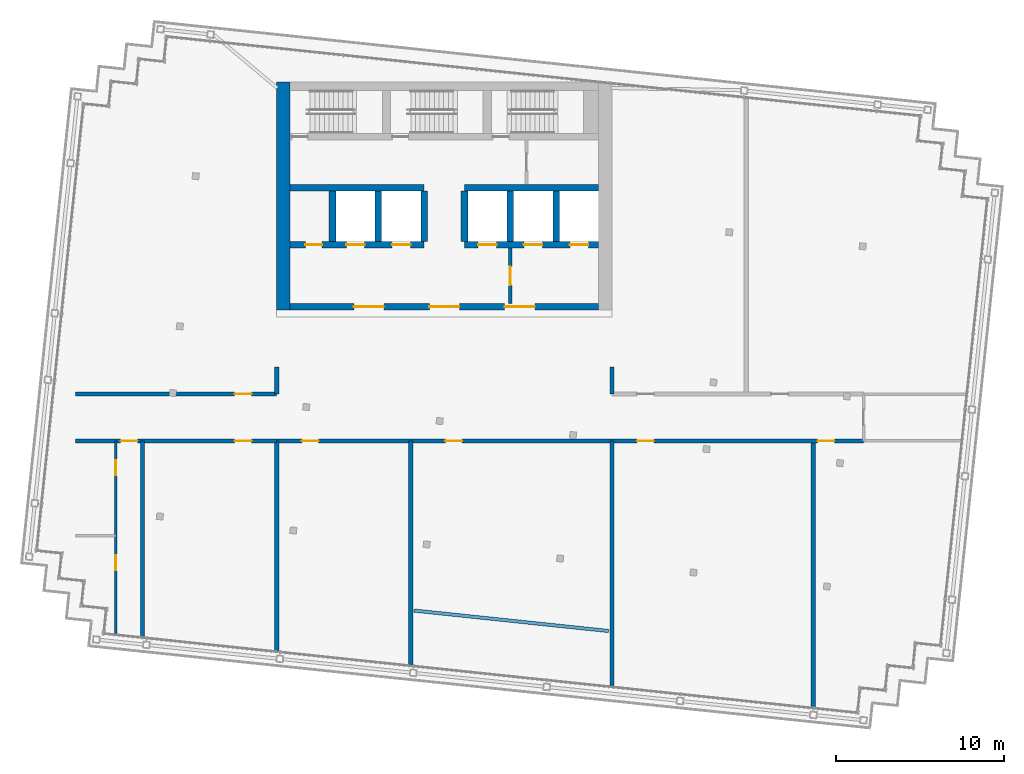
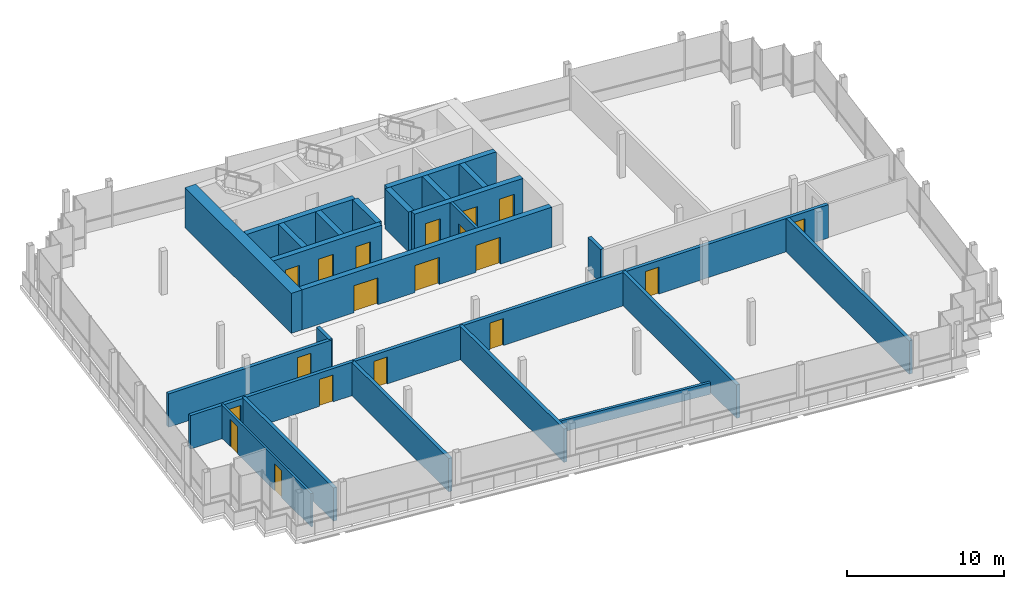
# One storey, part 11 of 15: 26 walls, 19 doors, 19 openings.
"""IFC4 building model written with IfcOpenShell, lengths in metres."""

import ifcopenshell
import ifcopenshell.guid

model = None  # the IFC model being written
_history = None  # IfcOwnerHistory: only IFC2X3 demands one
_inside = {}  # id of a spatial element -> (the spatial element, [elements in it])
_under = {}  # id of a project, library or spatial element -> (it, [spatial elements below it])
_declared = {}  # id of a project -> (the project, [libraries it declares])
_typed = {}  # id of a type object -> (the type object, [elements of that type])
_made_of = {}  # id of a material, layer set ... -> (it, [elements and type objects made of it])


def new_model(schema):
    """Start an empty IFC model of exactly this schema.

    Asked for "IFC4X3", IfcOpenShell would pick the latest addendum, in which some entities
    have other attributes; the version numbers below select the first issue.
    IFC2X3 requires an IfcOwnerHistory on every rooted entity: one is made here for all.
    """
    global model, _history
    if schema == "IFC4X3":
        model = ifcopenshell.file(schema_version=(4, 3, 0, 0))
    else:
        model = ifcopenshell.file(schema=schema)
    _inside.clear()
    _under.clear()
    _declared.clear()
    _typed.clear()
    _made_of.clear()
    _history = None
    if model.schema == "IFC2X3":
        org = make("IfcOrganization", Name="unknown")
        user = make(
            "IfcPersonAndOrganization",
            ThePerson=make("IfcPerson", FamilyName="unknown"),
            TheOrganization=org,
        )
        app = make(
            "IfcApplication",
            ApplicationDeveloper=org,
            Version="unknown",
            ApplicationFullName="unknown",
            ApplicationIdentifier="unknown",
        )
        _history = make(
            "IfcOwnerHistory",
            OwningUser=user,
            OwningApplication=app,
            ChangeAction="ADDED",
            CreationDate=0,
        )
    return model


def make(cls, **values):
    """One entity of the class cls with the attributes given. An attribute that is None is left unset."""
    return model.create_entity(
        cls, **{name: value for name, value in values.items() if value is not None}
    )


def rooted(cls, **values):
    """An entity with a GlobalId (a new one), such as an element, a storey or a relation."""
    return make(cls, GlobalId=ifcopenshell.guid.new(), OwnerHistory=_history, **values)


def si_unit(unit_type, name, prefix=None):
    """IfcSIUnit, for example si_unit("LENGTHUNIT", "METRE", prefix="MILLI")."""
    return make("IfcSIUnit", UnitType=unit_type, Prefix=prefix, Name=name)


def assignment(units):
    """IfcUnitAssignment: the units of a project."""
    return None if units is None else make("IfcUnitAssignment", Units=units)


def point(xyz):
    """IfcCartesianPoint."""
    return None if xyz is None else make("IfcCartesianPoint", Coordinates=xyz)


def direction(xyz):
    """IfcDirection."""
    return None if xyz is None else make("IfcDirection", DirectionRatios=xyz)


def frame(location, z_axis=None, x_axis=None):
    """IfcAxis2Placement3D, a coordinate frame: its origin and axes. An axis left out is left unset."""
    return make(
        "IfcAxis2Placement3D",
        Location=point(location),
        Axis=direction(z_axis),
        RefDirection=direction(x_axis),
    )


def frame_2d(location, x_axis=None):
    """IfcAxis2Placement2D, a coordinate frame in the plane: its origin and x axis."""
    return make(
        "IfcAxis2Placement2D", Location=point(location), RefDirection=direction(x_axis)
    )


def origin():
    """The frame at (0, 0, 0) with its axes left unset."""
    return frame((0.0, 0.0, 0.0))


def place(relative_to, where):
    """IfcLocalPlacement: puts the frame where relative to a parent placement (None: the world)."""
    return make(
        "IfcLocalPlacement", PlacementRelTo=relative_to, RelativePlacement=where
    )


def context(
    kind, dimensions, precision=None, world=None, true_north=None, identifier=None
):
    """IfcGeometricRepresentationContext, for example the 3D "Model" context."""
    return make(
        "IfcGeometricRepresentationContext",
        ContextIdentifier=identifier,
        ContextType=kind,
        CoordinateSpaceDimension=dimensions,
        Precision=precision,
        WorldCoordinateSystem=world,
        TrueNorth=true_north,
    )


def subcontext(parent, identifier, kind, view, scale=None):
    """IfcGeometricRepresentationSubContext, for example "Body" below "Model"."""
    return make(
        "IfcGeometricRepresentationSubContext",
        ContextIdentifier=identifier,
        ContextType=kind,
        ParentContext=parent,
        TargetScale=scale,
        TargetView=view,
    )


def project(units=None, contexts=None):
    """IfcProject with its units and contexts."""
    return rooted(
        "IfcProject",
        Name="project",
        RepresentationContexts=contexts,
        UnitsInContext=assignment(units),
    )


def spatial(cls, under=None, at=None, **own):
    """A site, building, storey or space (cls), placed at a placement, below another one or the project."""
    s = rooted(cls, ObjectPlacement=at, **own)
    if under is not None:
        _under.setdefault(under.id(), (under, []))[1].append(s)
    return s


def profile(cls, at=None, kind="AREA", **sizes):
    """A parametric profile (cls). Its sizes go by their IFC names, for example OverallWidth=200.0."""
    return make(cls, ProfileType=kind, Position=at, **sizes)


def rectangle(**sizes):
    """IfcRectangleProfileDef."""
    return profile("IfcRectangleProfileDef", **sizes)


def extrude(swept, where, along, depth):
    """IfcExtrudedAreaSolid: the profile swept, set in the frame where, extruded along a direction by depth."""
    return make(
        "IfcExtrudedAreaSolid",
        SweptArea=swept,
        Position=where,
        ExtrudedDirection=direction(along),
        Depth=depth,
    )


def shape(context_of_items, identifier, shape_type, items):
    """IfcShapeRepresentation: the items that make up one representation, for example the "Body"."""
    return make(
        "IfcShapeRepresentation",
        ContextOfItems=context_of_items,
        RepresentationIdentifier=identifier,
        RepresentationType=shape_type,
        Items=items,
    )


def material(Name=None, Category=None):
    """IfcMaterial."""
    return make("IfcMaterial", Name=Name, Category=Category)


def layer(
    of_material, thickness, ventilated=None, Name=None, Category=None, Priority=None
):
    """IfcMaterialLayer: one layer of a wall or slab, of a material (None: an air gap)."""
    return make(
        "IfcMaterialLayer",
        Material=of_material,
        LayerThickness=thickness,
        IsVentilated=ventilated,
        Name=Name,
        Category=Category,
        Priority=Priority,
    )


def layer_set(layers, Name=None):
    """IfcMaterialLayerSet."""
    return make("IfcMaterialLayerSet", MaterialLayers=layers, LayerSetName=Name)


def made_of(thing, what):
    """Note that an element or type object is made of a material, layer set ...; save() writes the relation."""
    if what is not None:
        _made_of.setdefault(what.id(), (what, []))[1].append(thing)
    return thing


def type_object(cls, material=None, **own):
    """A type object (cls), such as IfcWallType, which elements share."""
    return made_of(rooted(cls, **own), material)


def element(
    cls,
    number,
    at=None,
    inside=None,
    cuts=None,
    type_object=None,
    material=None,
    context=None,
    identifier="Body",
    shape_type=None,
    held_by="IfcProductDefinitionShape",
    body=None,
    shapes=None,
    **own,
):
    """One element of the class cls, such as IfcWall. Its Tag is "e" and its number.

    at: its placement. inside: the storey or other place that contains it. cuts: it is an
    opening in that element (IfcRelVoidsElement). A single representation is given by context,
    identifier, shape_type and body (its items); several are given by shapes. held_by: the class
    of the entity that holds the representations. save() writes the other relations.
    """
    e = rooted(cls, Tag="e%d" % number, ObjectPlacement=at, **own)
    if body is not None:
        shapes = [shape(context, identifier, shape_type, body)]
    if shapes is not None:
        e.Representation = make(held_by, Representations=shapes)
    if inside is not None:
        _inside.setdefault(inside.id(), (inside, []))[1].append(e)
    if cuts is not None:
        rooted(
            "IfcRelVoidsElement", RelatingBuildingElement=cuts, RelatedOpeningElement=e
        )
    if type_object is not None:
        _typed.setdefault(type_object.id(), (type_object, []))[1].append(e)
    return made_of(e, material)


def fill(opening, filler):
    """IfcRelFillsElement: the door or window that sits in an opening."""
    return rooted(
        "IfcRelFillsElement",
        RelatingOpeningElement=opening,
        RelatedBuildingElement=filler,
    )


def aggregate(whole, parts):
    """IfcRelAggregates: a whole, such as a stair, and the parts it consists of."""
    return rooted("IfcRelAggregates", RelatingObject=whole, RelatedObjects=parts)


def save(model, path):
    """Write the relations noted so far, then the file.

    IfcRelAggregates (storeys below a building ...), IfcRelContainedInSpatialStructure (elements
    in a storey), IfcRelDefinesByType, IfcRelAssociatesMaterial and IfcRelDeclares: one each for
    every whole, place, type object, material and project.
    """
    for whole, parts in _under.values():
        aggregate(whole, parts)
    for where, things in _inside.values():
        rooted(
            "IfcRelContainedInSpatialStructure",
            RelatedElements=things,
            RelatingStructure=where,
        )
    for kind, things in _typed.values():
        rooted("IfcRelDefinesByType", RelatedObjects=things, RelatingType=kind)
    for what, things in _made_of.values():
        rooted("IfcRelAssociatesMaterial", RelatedObjects=things, RelatingMaterial=what)
    for by, libraries in _declared.values():
        rooted("IfcRelDeclares", RelatingContext=by, RelatedDefinitions=libraries)
    model.write(path)


model = new_model("IFC4")

# Units and contexts
model_context = context("Model", 3, precision=1e-05, world=origin(), true_north=direction((0.0, 1.0)))
body_context = subcontext(model_context, "Body", "Model", "MODEL_VIEW")
ifc_project = project(units=[si_unit("LENGTHUNIT", "METRE"), si_unit("AREAUNIT", "SQUARE_METRE"), si_unit("VOLUMEUNIT", "CUBIC_METRE"), si_unit("PLANEANGLEUNIT", "RADIAN"), si_unit("MASSUNIT", "GRAM", prefix="KILO")], contexts=[model_context])

# Site, building, storey
site_placement = place(None, origin())
site = spatial("IfcSite", under=ifc_project, at=site_placement, CompositionType="ELEMENT")
building_placement = place(site_placement, origin())
building = spatial("IfcBuilding", under=site, at=building_placement, Name="Vidyagriha Tower", CompositionType="ELEMENT")
storey_placement = place(building_placement, frame((0.0, 0.0, 294.89990234375)))
storey = spatial("IfcBuildingStorey", under=building, at=storey_placement, Name="L76", CompositionType="ELEMENT", Elevation=294.89990234375)

# Wall
ifc_material_1 = material(Name="Fired clay brick masonry", Category="masonry")
ifc_layer_1 = layer(ifc_material_1, 0.199951171875)
ifc_layer_set_1 = layer_set([ifc_layer_1], Name="Fired clay brick masonry")
wall_type_1 = type_object("IfcWallType", Name="Brick planter wall 200", PredefinedType="PARTITIONING", material=ifc_layer_set_1)
wall_1_placement = place(storey_placement, frame((9.800048828125, -12.7333984375, 0.0), z_axis=(0.0, 0.0, 1.0), x_axis=(-0.994521727026, 0.104530064923, 0.0)))
element("IfcWall", 1, at=wall_1_placement, inside=storey, type_object=wall_type_1, Name="Wall all-L76-w031", PredefinedType="PARTITIONING", context=body_context, shape_type="SweptSolid", body=[
    extrude(rectangle(XDim=11.6640625, YDim=0.199951171875, at=frame_2d((5.83203125, 0.0))), origin(), (0.0, 0.0, 1.0), 0.900146484375),
])

# Wall, openings, doors
ifc_material_2 = material(Name="Concrete C60/75", Category="concrete")
ifc_layer_2 = layer(ifc_material_2, 0.39990234375)
ifc_layer_set_2 = layer_set([ifc_layer_2], Name="Concrete C60/75")
wall_type_2 = type_object("IfcWallType", Name="Core shear wall 400 mm", PredefinedType="SHEAR", material=ifc_layer_set_2)
wall_2_placement = place(storey_placement, frame((-9.199951171875, 6.60009765625, 0.0)))
wall_2 = element("IfcWall", 2, at=wall_2_placement, inside=storey, type_object=wall_type_2, Name="Core south wall", PredefinedType="SHEAR", context=body_context, shape_type="SweptSolid", body=[
    extrude(rectangle(XDim=18.39990234375, YDim=0.39990234375, at=frame_2d((9.199951171875, 0.0))), origin(), (0.0, 0.0, 1.0), 3.1201171875),
])
opening_1_placement = place(wall_2_placement, frame((8.300048828125, 0.0, 0.0)))
opening_1 = element("IfcOpeningElement", 3, at=opening_1_placement, cuts=wall_2, Name="Opening D76-01", PredefinedType="OPENING", context=body_context, shape_type="SweptSolid", body=[
    extrude(rectangle(XDim=1.800048828125, YDim=2.10009765625, at=frame_2d((0.89990234375, 1.050048828125))), frame((0.0, 0.2099609375, 0.0), z_axis=(0.0, -1.0, 0.0), x_axis=(1.0, 0.0, 0.0)), (0.0, 0.0, 1.0), 0.419921875),
])
opening_2_placement = place(wall_2_placement, frame((3.800048828125, 0.0, 0.0)))
opening_2 = element("IfcOpeningElement", 4, at=opening_2_placement, cuts=wall_2, Name="Opening D76-02", PredefinedType="OPENING", context=body_context, shape_type="SweptSolid", body=[
    extrude(rectangle(XDim=1.800048828125, YDim=2.10009765625, at=frame_2d((0.89990234375, 1.050048828125))), frame((0.0, 0.2099609375, 0.0), z_axis=(0.0, -1.0, 0.0), x_axis=(1.0, 0.0, 0.0)), (0.0, 0.0, 1.0), 0.419921875),
])
opening_3_placement = place(wall_2_placement, frame((12.800048828125, 0.0, 0.0)))
opening_3 = element("IfcOpeningElement", 5, at=opening_3_placement, cuts=wall_2, Name="Opening D76-03", PredefinedType="OPENING", context=body_context, shape_type="SweptSolid", body=[
    extrude(rectangle(XDim=1.800048828125, YDim=2.10009765625, at=frame_2d((0.89990234375, 1.050048828125))), frame((0.0, 0.2099609375, 0.0), z_axis=(0.0, -1.0, 0.0), x_axis=(1.0, 0.0, 0.0)), (0.0, 0.0, 1.0), 0.419921875),
])
ifc_material_3 = material(Name="Hollow metal door leaf")
door_type_1 = type_object("IfcDoorType", Name="Core lobby double door 1800 x 2100 mm EI 60", OperationType="NOTDEFINED", PredefinedType="DOOR", material=ifc_material_3)
door_1_placement = place(opening_1_placement, frame((1.800048828125, 0.0, 0.0), z_axis=(0.0, 0.0, 1.0), x_axis=(-1.0, 0.0, 0.0)))
door_1 = element("IfcDoor", 6, at=door_1_placement, inside=storey, type_object=door_type_1, Name="Core entrance door L76", OperationType="DOUBLE_DOOR_SINGLE_SWING", OverallHeight=2.10009765625, OverallWidth=1.800048828125, PredefinedType="DOOR", context=body_context, shape_type="SweptSolid", body=[
    extrude(rectangle(XDim=1.800048828125, YDim=2.10009765625, at=frame_2d((0.89990234375, 1.050048828125))), frame((0.0, 0.02490234375, 0.0), z_axis=(0.0, -1.0, 0.0), x_axis=(1.0, 0.0, 0.0)), (0.0, 0.0, 1.0), 0.050048828125),
])
fill(opening_1, door_1)
door_2_placement = place(opening_2_placement, frame((1.800048828125, 0.0, 0.0), z_axis=(0.0, 0.0, 1.0), x_axis=(-1.0, 0.0, 0.0)))
door_2 = element("IfcDoor", 7, at=door_2_placement, inside=storey, type_object=door_type_1, Name="Core entrance door west L76", OperationType="DOUBLE_DOOR_SINGLE_SWING", OverallHeight=2.10009765625, OverallWidth=1.800048828125, PredefinedType="DOOR", context=body_context, shape_type="SweptSolid", body=[
    extrude(rectangle(XDim=1.800048828125, YDim=2.10009765625, at=frame_2d((0.89990234375, 1.050048828125))), frame((0.0, 0.02490234375, 0.0), z_axis=(0.0, -1.0, 0.0), x_axis=(1.0, 0.0, 0.0)), (0.0, 0.0, 1.0), 0.050048828125),
])
fill(opening_2, door_2)
door_3_placement = place(opening_3_placement, frame((1.800048828125, 0.0, 0.0), z_axis=(0.0, 0.0, 1.0), x_axis=(-1.0, 0.0, 0.0)))
door_3 = element("IfcDoor", 8, at=door_3_placement, inside=storey, type_object=door_type_1, Name="Core entrance door east L76", OperationType="DOUBLE_DOOR_SINGLE_SWING", OverallHeight=2.10009765625, OverallWidth=1.800048828125, PredefinedType="DOOR", context=body_context, shape_type="SweptSolid", body=[
    extrude(rectangle(XDim=1.800048828125, YDim=2.10009765625, at=frame_2d((0.89990234375, 1.050048828125))), frame((0.0, 0.02490234375, 0.0), z_axis=(0.0, -1.0, 0.0), x_axis=(1.0, 0.0, 0.0)), (0.0, 0.0, 1.0), 0.050048828125),
])
fill(opening_3, door_3)

wall_3_placement = place(storey_placement, frame((-9.199951171875, 10.300048828125, 0.0)))
wall_3 = element("IfcWall", 9, at=wall_3_placement, inside=storey, type_object=wall_type_2, Name="Core row N front wall", PredefinedType="SHEAR", context=body_context, shape_type="SweptSolid", body=[
    extrude(rectangle(XDim=8.0, YDim=0.39990234375, at=frame_2d((4.0, 0.0))), origin(), (0.0, 0.0, 1.0), 3.1201171875),
])
opening_4_placement = place(wall_3_placement, frame((3.35009765625, 0.0, 0.0)))
opening_4 = element("IfcOpeningElement", 10, at=opening_4_placement, cuts=wall_3, Name="Opening LD76-01", PredefinedType="OPENING", context=body_context, shape_type="SweptSolid", body=[
    extrude(rectangle(XDim=1.10009765625, YDim=2.10009765625, at=frame_2d((0.550048828125, 1.050048828125))), frame((0.0, 0.2099609375, 0.0), z_axis=(0.0, -1.0, 0.0), x_axis=(1.0, 0.0, 0.0)), (0.0, 0.0, 1.0), 0.419921875),
])
opening_5_placement = place(wall_3_placement, frame((6.083251953125, 0.0, 0.0)))
opening_5 = element("IfcOpeningElement", 11, at=opening_5_placement, cuts=wall_3, Name="Opening LD76-02", PredefinedType="OPENING", context=body_context, shape_type="SweptSolid", body=[
    extrude(rectangle(XDim=1.10009765625, YDim=2.10009765625, at=frame_2d((0.550048828125, 1.050048828125))), frame((0.0, 0.2099609375, 0.0), z_axis=(0.0, -1.0, 0.0), x_axis=(1.0, 0.0, 0.0)), (0.0, 0.0, 1.0), 0.419921875),
])
opening_6_placement = place(wall_3_placement, frame((0.916748046875, 0.0, 0.0)))
opening_6 = element("IfcOpeningElement", 12, at=opening_6_placement, cuts=wall_3, Name="Opening D76-04", PredefinedType="OPENING", context=body_context, shape_type="SweptSolid", body=[
    extrude(rectangle(XDim=1.0, YDim=2.10009765625, at=frame_2d((0.5, 1.050048828125))), frame((0.0, 0.2099609375, 0.0), z_axis=(0.0, -1.0, 0.0), x_axis=(1.0, 0.0, 0.0)), (0.0, 0.0, 1.0), 0.419921875),
])
ifc_material_4 = material(Name="Hollow metal door leaf")
door_type_2 = type_object("IfcDoorType", Name="Core room door 1000 x 2100 mm EI 60", OperationType="NOTDEFINED", PredefinedType="DOOR", material=ifc_material_4)
door_4_placement = place(opening_6_placement, frame((1.0, 0.0, 0.0), z_axis=(0.0, 0.0, 1.0), x_axis=(-1.0, 0.0, 0.0)))
door_4 = element("IfcDoor", 13, at=door_4_placement, inside=storey, type_object=door_type_2, Name="Door Refuse Room 76.14", OperationType="SINGLE_SWING_RIGHT", OverallHeight=2.10009765625, OverallWidth=1.0, PredefinedType="DOOR", context=body_context, shape_type="SweptSolid", body=[
    extrude(rectangle(XDim=1.0, YDim=2.10009765625, at=frame_2d((0.5, 1.050048828125))), frame((0.0, 0.02490234375, 0.0), z_axis=(0.0, -1.0, 0.0), x_axis=(1.0, 0.0, 0.0)), (0.0, 0.0, 1.0), 0.050048828125),
])
fill(opening_6, door_4)
ifc_material_5 = material(Name="Stainless steel sliding door panel", Category="steel")
door_type_3 = type_object("IfcDoorType", Name="Lift landing door 1100 x 2100 mm EI 90", OperationType="NOTDEFINED", PredefinedType="DOOR", material=ifc_material_5)
door_5_placement = place(opening_4_placement, origin())
door_5 = element("IfcDoor", 14, at=door_5_placement, inside=storey, type_object=door_type_3, Name="Landing door HR1 L76", OperationType="SLIDING_TO_LEFT", OverallHeight=2.10009765625, OverallWidth=1.10009765625, PredefinedType="DOOR", context=body_context, shape_type="SweptSolid", body=[
    extrude(rectangle(XDim=1.10009765625, YDim=2.10009765625, at=frame_2d((0.550048828125, 1.050048828125))), frame((0.0, 0.02490234375, 0.0), z_axis=(0.0, -1.0, 0.0), x_axis=(1.0, 0.0, 0.0)), (0.0, 0.0, 1.0), 0.050048828125),
])
fill(opening_4, door_5)
door_6_placement = place(opening_5_placement, origin())
door_6 = element("IfcDoor", 15, at=door_6_placement, inside=storey, type_object=door_type_3, Name="Landing door HR2 L76", OperationType="SLIDING_TO_LEFT", OverallHeight=2.10009765625, OverallWidth=1.10009765625, PredefinedType="DOOR", context=body_context, shape_type="SweptSolid", body=[
    extrude(rectangle(XDim=1.10009765625, YDim=2.10009765625, at=frame_2d((0.550048828125, 1.050048828125))), frame((0.0, 0.02490234375, 0.0), z_axis=(0.0, -1.0, 0.0), x_axis=(1.0, 0.0, 0.0)), (0.0, 0.0, 1.0), 0.050048828125),
])
fill(opening_5, door_6)

# Wall
wall_4_placement = place(storey_placement, frame((-9.199951171875, 13.699951171875, 0.0)))
element("IfcWall", 16, at=wall_4_placement, inside=storey, type_object=wall_type_2, Name="Core row N rear wall", PredefinedType="SHEAR", context=body_context, shape_type="SweptSolid", body=[
    extrude(rectangle(XDim=8.0, YDim=0.39990234375, at=frame_2d((4.0, 0.0))), origin(), (0.0, 0.0, 1.0), 3.1201171875),
])

# Wall, openings, doors
wall_5_placement = place(storey_placement, frame((1.199951171875, 10.300048828125, 0.0)))
wall_5 = element("IfcWall", 17, at=wall_5_placement, inside=storey, type_object=wall_type_2, Name="Core row N front wall", PredefinedType="SHEAR", context=body_context, shape_type="SweptSolid", body=[
    extrude(rectangle(XDim=8.0, YDim=0.39990234375, at=frame_2d((4.0, 0.0))), origin(), (0.0, 0.0, 1.0), 3.1201171875),
])
opening_7_placement = place(wall_5_placement, frame((0.816650390625, 0.0, 0.0)))
opening_7 = element("IfcOpeningElement", 18, at=opening_7_placement, cuts=wall_5, Name="Opening LD76-03", PredefinedType="OPENING", context=body_context, shape_type="SweptSolid", body=[
    extrude(rectangle(XDim=1.10009765625, YDim=2.10009765625, at=frame_2d((0.550048828125, 1.050048828125))), frame((0.0, 0.2099609375, 0.0), z_axis=(0.0, -1.0, 0.0), x_axis=(1.0, 0.0, 0.0)), (0.0, 0.0, 1.0), 0.419921875),
])
opening_8_placement = place(wall_5_placement, frame((3.550048828125, 0.0, 0.0)))
opening_8 = element("IfcOpeningElement", 19, at=opening_8_placement, cuts=wall_5, Name="Opening LD76-04", PredefinedType="OPENING", context=body_context, shape_type="SweptSolid", body=[
    extrude(rectangle(XDim=1.10009765625, YDim=2.10009765625, at=frame_2d((0.550048828125, 1.050048828125))), frame((0.0, 0.2099609375, 0.0), z_axis=(0.0, -1.0, 0.0), x_axis=(1.0, 0.0, 0.0)), (0.0, 0.0, 1.0), 0.419921875),
])
opening_9_placement = place(wall_5_placement, frame((6.283203125, 0.0, 0.0)))
opening_9 = element("IfcOpeningElement", 20, at=opening_9_placement, cuts=wall_5, Name="Opening LD76-05", PredefinedType="OPENING", context=body_context, shape_type="SweptSolid", body=[
    extrude(rectangle(XDim=1.10009765625, YDim=2.10009765625, at=frame_2d((0.550048828125, 1.050048828125))), frame((0.0, 0.2099609375, 0.0), z_axis=(0.0, -1.0, 0.0), x_axis=(1.0, 0.0, 0.0)), (0.0, 0.0, 1.0), 0.419921875),
])
door_7_placement = place(opening_7_placement, origin())
door_7 = element("IfcDoor", 21, at=door_7_placement, inside=storey, type_object=door_type_3, Name="Landing door HR3 L76", OperationType="SLIDING_TO_LEFT", OverallHeight=2.10009765625, OverallWidth=1.10009765625, PredefinedType="DOOR", context=body_context, shape_type="SweptSolid", body=[
    extrude(rectangle(XDim=1.10009765625, YDim=2.10009765625, at=frame_2d((0.550048828125, 1.050048828125))), frame((0.0, 0.02490234375, 0.0), z_axis=(0.0, -1.0, 0.0), x_axis=(1.0, 0.0, 0.0)), (0.0, 0.0, 1.0), 0.050048828125),
])
fill(opening_7, door_7)
door_8_placement = place(opening_8_placement, origin())
door_8 = element("IfcDoor", 22, at=door_8_placement, inside=storey, type_object=door_type_3, Name="Landing door FF1 L76", OperationType="SLIDING_TO_LEFT", OverallHeight=2.10009765625, OverallWidth=1.10009765625, PredefinedType="DOOR", context=body_context, shape_type="SweptSolid", body=[
    extrude(rectangle(XDim=1.10009765625, YDim=2.10009765625, at=frame_2d((0.550048828125, 1.050048828125))), frame((0.0, 0.02490234375, 0.0), z_axis=(0.0, -1.0, 0.0), x_axis=(1.0, 0.0, 0.0)), (0.0, 0.0, 1.0), 0.050048828125),
])
fill(opening_8, door_8)
door_9_placement = place(opening_9_placement, origin())
door_9 = element("IfcDoor", 23, at=door_9_placement, inside=storey, type_object=door_type_3, Name="Landing door FF2 L76", OperationType="SLIDING_TO_LEFT", OverallHeight=2.10009765625, OverallWidth=1.10009765625, PredefinedType="DOOR", context=body_context, shape_type="SweptSolid", body=[
    extrude(rectangle(XDim=1.10009765625, YDim=2.10009765625, at=frame_2d((0.550048828125, 1.050048828125))), frame((0.0, 0.02490234375, 0.0), z_axis=(0.0, -1.0, 0.0), x_axis=(1.0, 0.0, 0.0)), (0.0, 0.0, 1.0), 0.050048828125),
])
fill(opening_9, door_9)

# Walls
wall_6_placement = place(storey_placement, frame((1.199951171875, 13.699951171875, 0.0)))
element("IfcWall", 24, at=wall_6_placement, inside=storey, type_object=wall_type_2, Name="Core row N rear wall", PredefinedType="SHEAR", context=body_context, shape_type="SweptSolid", body=[
    extrude(rectangle(XDim=8.0, YDim=0.39990234375, at=frame_2d((4.0, 0.0))), origin(), (0.0, 0.0, 1.0), 3.1201171875),
])
for number, where, z_axis, x_axis, name in (
    (25, (-6.666748046875, 10.5, 0.0), (0.0, 0.0, 1.0), (0.0, 1.0, 0.0), "Core bay wall N1"),
    (26, (-3.933349609375, 10.5, 0.0), (0.0, 0.0, 1.0), (0.0, 1.0, 0.0), "Core bay wall N2"),
    (27, (-1.199951171875, 10.5, 0.0), (0.0, 0.0, 1.0), (0.0, 1.0, 0.0), "Core bay wall N3"),
    (28, (1.199951171875, 10.5, 0.0), (0.0, 0.0, 1.0), (0.0, 1.0, 0.0), "Core bay wall N4"),
    (29, (3.933349609375, 10.5, 0.0), (0.0, 0.0, 1.0), (0.0, 1.0, 0.0), "Core bay wall N5"),
    (30, (6.666748046875, 10.5, 0.0), (0.0, 0.0, 1.0), (0.0, 1.0, 0.0), "Core bay wall N6"),
):
    element("IfcWall", number, at=place(storey_placement, frame(where, z_axis=z_axis, x_axis=x_axis)), inside=storey, type_object=wall_type_2, Name=name, PredefinedType="SHEAR", context=body_context, shape_type="SweptSolid", body=[
        extrude(rectangle(XDim=3.0, YDim=0.39990234375, at=frame_2d((1.5, 0.0))), origin(), (0.0, 0.0, 1.0), 3.1201171875),
    ])
ifc_material_6 = material(Name="Concrete C60/75", Category="concrete")
ifc_layer_3 = layer(ifc_material_6, 0.800048828125)
ifc_layer_set_3 = layer_set([ifc_layer_3], Name="Concrete C60/75")
wall_type_3 = type_object("IfcWallType", Name="Core shear wall 800 mm", PredefinedType="SHEAR", material=ifc_layer_set_3)
wall_7_placement = place(storey_placement, frame((-9.60009765625, 6.39990234375, 0.0), z_axis=(0.0, 0.0, 1.0), x_axis=(0.0, 1.0, 0.0)))
element("IfcWall", 31, at=wall_7_placement, inside=storey, type_object=wall_type_3, Name="Core west wall", PredefinedType="SHEAR", context=body_context, shape_type="SweptSolid", body=[
    extrude(rectangle(XDim=13.60009765625, YDim=0.800048828125, at=frame_2d((6.800048828125, 0.0))), origin(), (0.0, 0.0, 1.0), 3.1201171875),
])

# Wall, openings, doors
ifc_material_7 = material(Name="Fired clay brick masonry", Category="masonry")
ifc_layer_4 = layer(ifc_material_7, 0.25)
ifc_layer_set_4 = layer_set([ifc_layer_4], Name="Fired clay brick masonry")
wall_type_4 = type_object("IfcWallType", Name="Fired clay brick corridor wall 250", PredefinedType="PARTITIONING", material=ifc_layer_set_4)
wall_8_placement = place(storey_placement, frame((-10.0, -1.39990234375, 0.0), z_axis=(0.0, 0.0, 1.0), x_axis=(-1.0, 0.0, 0.0)))
wall_8 = element("IfcWall", 32, at=wall_8_placement, inside=storey, type_object=wall_type_4, Name="Wall all-L76-w001", PredefinedType="PARTITIONING", context=body_context, shape_type="SweptSolid", body=[
    extrude(rectangle(XDim=12.0, YDim=0.25, at=frame_2d((6.0, 0.0))), origin(), (0.0, 0.0, 1.0), 2.60009765625),
])
opening_10_placement = place(wall_8_placement, frame((1.5, 0.0, 0.0)))
opening_10 = element("IfcOpeningElement", 33, at=opening_10_placement, cuts=wall_8, Name="Opening D76-10", PredefinedType="OPENING", context=body_context, shape_type="SweptSolid", body=[
    extrude(rectangle(XDim=1.0, YDim=2.10009765625, at=frame_2d((0.5, 1.050048828125))), frame((0.0, 0.135009765625, 0.0), z_axis=(0.0, -1.0, 0.0), x_axis=(1.0, 0.0, 0.0)), (0.0, 0.0, 1.0), 0.27001953125),
])
opening_11_placement = place(wall_8_placement, frame((8.300048828125, 0.0, 0.0)))
opening_11 = element("IfcOpeningElement", 34, at=opening_11_placement, cuts=wall_8, Name="Opening D76-13", PredefinedType="OPENING", context=body_context, shape_type="SweptSolid", body=[
    extrude(rectangle(XDim=1.0, YDim=2.10009765625, at=frame_2d((0.5, 1.050048828125))), frame((0.0, 0.135009765625, 0.0), z_axis=(0.0, -1.0, 0.0), x_axis=(1.0, 0.0, 0.0)), (0.0, 0.0, 1.0), 0.27001953125),
])
ifc_material_8 = material(Name="Fire-rated timber door leaf EI 60", Category="wood")
door_type_4 = type_object("IfcDoorType", Name="Flat entrance fire door 1000x2100", OperationType="NOTDEFINED", PredefinedType="DOOR", material=ifc_material_8)
door_10_placement = place(opening_10_placement, origin())
door_10 = element("IfcDoor", 35, at=door_10_placement, inside=storey, type_object=door_type_4, Name="Door D76-10", OperationType="SINGLE_SWING_LEFT", OverallHeight=2.10009765625, OverallWidth=1.0, PredefinedType="DOOR", context=body_context, shape_type="SweptSolid", body=[
    extrude(rectangle(XDim=1.0, YDim=2.10009765625, at=frame_2d((0.5, 1.050048828125))), frame((0.0, 0.02490234375, 0.0), z_axis=(0.0, -1.0, 0.0), x_axis=(1.0, 0.0, 0.0)), (0.0, 0.0, 1.0), 0.050048828125),
])
fill(opening_10, door_10)
door_11_placement = place(opening_11_placement, origin())
door_11 = element("IfcDoor", 36, at=door_11_placement, inside=storey, type_object=door_type_4, Name="Door D76-13", OperationType="SINGLE_SWING_RIGHT", OverallHeight=2.10009765625, OverallWidth=1.0, PredefinedType="DOOR", context=body_context, shape_type="SweptSolid", body=[
    extrude(rectangle(XDim=1.0, YDim=2.10009765625, at=frame_2d((0.5, 1.050048828125))), frame((0.0, 0.02490234375, 0.0), z_axis=(0.0, -1.0, 0.0), x_axis=(1.0, 0.0, 0.0)), (0.0, 0.0, 1.0), 0.050048828125),
])
fill(opening_11, door_11)

# Wall, opening, door
wall_9_placement = place(storey_placement, frame((-22.0, 1.39990234375, 0.0)))
wall_9 = element("IfcWall", 37, at=wall_9_placement, inside=storey, type_object=wall_type_4, Name="Wall all-L76-w010", PredefinedType="PARTITIONING", context=body_context, shape_type="SweptSolid", body=[
    extrude(rectangle(XDim=12.0, YDim=0.25, at=frame_2d((6.0, 0.0))), origin(), (0.0, 0.0, 1.0), 2.60009765625),
])
opening_12_placement = place(wall_9_placement, frame((9.5, 0.0, 0.0)))
opening_12 = element("IfcOpeningElement", 38, at=opening_12_placement, cuts=wall_9, Name="Opening D76-14", PredefinedType="OPENING", context=body_context, shape_type="SweptSolid", body=[
    extrude(rectangle(XDim=1.0, YDim=2.10009765625, at=frame_2d((0.5, 1.050048828125))), frame((0.0, 0.135009765625, 0.0), z_axis=(0.0, -1.0, 0.0), x_axis=(1.0, 0.0, 0.0)), (0.0, 0.0, 1.0), 0.27001953125),
])
door_12_placement = place(opening_12_placement, origin())
door_12 = element("IfcDoor", 39, at=door_12_placement, inside=storey, type_object=door_type_4, Name="Door D76-14", OperationType="SINGLE_SWING_RIGHT", OverallHeight=2.10009765625, OverallWidth=1.0, PredefinedType="DOOR", context=body_context, shape_type="SweptSolid", body=[
    extrude(rectangle(XDim=1.0, YDim=2.10009765625, at=frame_2d((0.5, 1.050048828125))), frame((0.0, 0.02490234375, 0.0), z_axis=(0.0, -1.0, 0.0), x_axis=(1.0, 0.0, 0.0)), (0.0, 0.0, 1.0), 0.050048828125),
])
fill(opening_12, door_12)

# Wall, openings, doors
wall_10_placement = place(storey_placement, frame((25.0, -1.39990234375, 0.0), z_axis=(0.0, 0.0, 1.0), x_axis=(-1.0, 0.0, 0.0)))
wall_10 = element("IfcWall", 40, at=wall_10_placement, inside=storey, type_object=wall_type_4, Name="Wall all-L76-w012", PredefinedType="PARTITIONING", context=body_context, shape_type="SweptSolid", body=[
    extrude(rectangle(XDim=15.0, YDim=0.25, at=frame_2d((7.5, 0.0))), origin(), (0.0, 0.0, 1.0), 2.60009765625),
])
opening_13_placement = place(wall_10_placement, frame((12.5, 0.0, 0.0)))
opening_13 = element("IfcOpeningElement", 41, at=opening_13_placement, cuts=wall_10, Name="Opening D76-15", PredefinedType="OPENING", context=body_context, shape_type="SweptSolid", body=[
    extrude(rectangle(XDim=1.0, YDim=2.10009765625, at=frame_2d((0.5, 1.050048828125))), frame((0.0, 0.135009765625, 0.0), z_axis=(0.0, -1.0, 0.0), x_axis=(1.0, 0.0, 0.0)), (0.0, 0.0, 1.0), 0.27001953125),
])
opening_14_placement = place(wall_10_placement, frame((1.7431640625, 0.0, 0.0)))
opening_14 = element("IfcOpeningElement", 42, at=opening_14_placement, cuts=wall_10, Name="Opening D76-16", PredefinedType="OPENING", context=body_context, shape_type="SweptSolid", body=[
    extrude(rectangle(XDim=1.0, YDim=2.10009765625, at=frame_2d((0.5, 1.050048828125))), frame((0.0, 0.135009765625, 0.0), z_axis=(0.0, -1.0, 0.0), x_axis=(1.0, 0.0, 0.0)), (0.0, 0.0, 1.0), 0.27001953125),
])
door_13_placement = place(opening_13_placement, origin())
door_13 = element("IfcDoor", 43, at=door_13_placement, inside=storey, type_object=door_type_4, Name="Door D76-15", OperationType="SINGLE_SWING_RIGHT", OverallHeight=2.10009765625, OverallWidth=1.0, PredefinedType="DOOR", context=body_context, shape_type="SweptSolid", body=[
    extrude(rectangle(XDim=1.0, YDim=2.10009765625, at=frame_2d((0.5, 1.050048828125))), frame((0.0, 0.02490234375, 0.0), z_axis=(0.0, -1.0, 0.0), x_axis=(1.0, 0.0, 0.0)), (0.0, 0.0, 1.0), 0.050048828125),
])
fill(opening_13, door_13)
door_14_placement = place(opening_14_placement, origin())
door_14 = element("IfcDoor", 44, at=door_14_placement, inside=storey, type_object=door_type_4, Name="Door D76-16", OperationType="SINGLE_SWING_RIGHT", OverallHeight=2.10009765625, OverallWidth=1.0, PredefinedType="DOOR", context=body_context, shape_type="SweptSolid", body=[
    extrude(rectangle(XDim=1.0, YDim=2.10009765625, at=frame_2d((0.5, 1.050048828125))), frame((0.0, 0.02490234375, 0.0), z_axis=(0.0, -1.0, 0.0), x_axis=(1.0, 0.0, 0.0)), (0.0, 0.0, 1.0), 0.050048828125),
])
fill(opening_14, door_14)

wall_11_placement = place(storey_placement, frame((10.0, -1.39990234375, 0.0), z_axis=(0.0, 0.0, 1.0), x_axis=(-1.0, 0.0, 0.0)))
wall_11 = element("IfcWall", 45, at=wall_11_placement, inside=storey, type_object=wall_type_4, Name="Wall all-L76-w028", PredefinedType="PARTITIONING", context=body_context, shape_type="SweptSolid", body=[
    extrude(rectangle(XDim=20.0, YDim=0.25, at=frame_2d((10.0, 0.0))), origin(), (0.0, 0.0, 1.0), 2.60009765625),
])
opening_15_placement = place(wall_11_placement, frame((17.5, 0.0, 0.0)))
opening_15 = element("IfcOpeningElement", 46, at=opening_15_placement, cuts=wall_11, Name="Opening D76-20", PredefinedType="OPENING", context=body_context, shape_type="SweptSolid", body=[
    extrude(rectangle(XDim=1.0, YDim=2.10009765625, at=frame_2d((0.5, 1.050048828125))), frame((0.0, 0.135009765625, 0.0), z_axis=(0.0, -1.0, 0.0), x_axis=(1.0, 0.0, 0.0)), (0.0, 0.0, 1.0), 0.27001953125),
])
opening_16_placement = place(wall_11_placement, frame((8.943603515625, 0.0, 0.0)))
opening_16 = element("IfcOpeningElement", 47, at=opening_16_placement, cuts=wall_11, Name="Opening D76-21", PredefinedType="OPENING", context=body_context, shape_type="SweptSolid", body=[
    extrude(rectangle(XDim=1.0, YDim=2.10009765625, at=frame_2d((0.5, 1.050048828125))), frame((0.0, 0.135009765625, 0.0), z_axis=(0.0, -1.0, 0.0), x_axis=(1.0, 0.0, 0.0)), (0.0, 0.0, 1.0), 0.27001953125),
])
door_15_placement = place(opening_15_placement, origin())
door_15 = element("IfcDoor", 48, at=door_15_placement, inside=storey, type_object=door_type_4, Name="Door D76-20", OperationType="SINGLE_SWING_RIGHT", OverallHeight=2.10009765625, OverallWidth=1.0, PredefinedType="DOOR", context=body_context, shape_type="SweptSolid", body=[
    extrude(rectangle(XDim=1.0, YDim=2.10009765625, at=frame_2d((0.5, 1.050048828125))), frame((0.0, 0.02490234375, 0.0), z_axis=(0.0, -1.0, 0.0), x_axis=(1.0, 0.0, 0.0)), (0.0, 0.0, 1.0), 0.050048828125),
])
fill(opening_15, door_15)
door_16_placement = place(opening_16_placement, origin())
door_16 = element("IfcDoor", 49, at=door_16_placement, inside=storey, type_object=door_type_4, Name="Door D76-21", OperationType="SINGLE_SWING_RIGHT", OverallHeight=2.10009765625, OverallWidth=1.0, PredefinedType="DOOR", context=body_context, shape_type="SweptSolid", body=[
    extrude(rectangle(XDim=1.0, YDim=2.10009765625, at=frame_2d((0.5, 1.050048828125))), frame((0.0, 0.02490234375, 0.0), z_axis=(0.0, -1.0, 0.0), x_axis=(1.0, 0.0, 0.0)), (0.0, 0.0, 1.0), 0.050048828125),
])
fill(opening_16, door_16)

# Walls
for number, where, z_axis, x_axis, name in (
    (50, (-10.0, 3.0, 0.0), (0.0, 0.0, 1.0), (0.0, -1.0, 0.0), "Wall all-L76-w029"),
    (51, (10.0, 1.39990234375, 0.0), (0.0, 0.0, 1.0), (0.0, 1.0, 0.0), "Wall all-L76-w030"),
):
    element("IfcWall", number, at=place(storey_placement, frame(where, z_axis=z_axis, x_axis=x_axis)), inside=storey, type_object=wall_type_4, Name=name, PredefinedType="PARTITIONING", context=body_context, shape_type="SweptSolid", body=[
        extrude(rectangle(XDim=1.60009765625, YDim=0.25, at=frame_2d((0.800048828125, 0.0))), origin(), (0.0, 0.0, 1.0), 2.60009765625),
    ])
ifc_material_9 = material(Name="Fired clay brick masonry", Category="masonry")
ifc_layer_5 = layer(ifc_material_9, 0.25)
ifc_layer_set_5 = layer_set([ifc_layer_5], Name="Fired clay brick masonry")
wall_type_5 = type_object("IfcWallType", Name="Fired clay brick demising wall 250", PredefinedType="PARTITIONING", material=ifc_layer_set_5)
wall_12_placement = place(storey_placement, frame((-18.0, -1.39990234375, 0.0), z_axis=(0.0, 0.0, 1.0), x_axis=(0.0, -1.0, 0.0)))
element("IfcWall", 52, at=wall_12_placement, inside=storey, type_object=wall_type_5, Name="Wall all-L76-w008", PredefinedType="PARTITIONING", context=body_context, shape_type="SweptSolid", body=[
    extrude(rectangle(XDim=11.650390625, YDim=0.25, at=frame_2d((5.8251953125, 0.0))), origin(), (0.0, 0.0, 1.0), 2.60009765625),
])
wall_13_placement = place(storey_placement, frame((-10.0, -1.39990234375, 0.0), z_axis=(0.0, 0.0, 1.0), x_axis=(0.0, -1.0, 0.0)))
element("IfcWall", 53, at=wall_13_placement, inside=storey, type_object=wall_type_5, Name="Wall all-L76-w009", PredefinedType="PARTITIONING", context=body_context, shape_type="SweptSolid", body=[
    extrude(rectangle(XDim=12.4912109375, YDim=0.25, at=frame_2d((6.24560546875, 0.0))), origin(), (0.0, 0.0, 1.0), 2.60009765625),
])
wall_14_placement = place(storey_placement, frame((10.0, -1.39990234375, 0.0), z_axis=(0.0, 0.0, 1.0), x_axis=(0.0, -1.0, 0.0)))
element("IfcWall", 54, at=wall_14_placement, inside=storey, type_object=wall_type_5, Name="Wall all-L76-w018", PredefinedType="PARTITIONING", context=body_context, shape_type="SweptSolid", body=[
    extrude(rectangle(XDim=14.59326171875, YDim=0.25, at=frame_2d((7.296630859375, 0.0))), origin(), (0.0, 0.0, 1.0), 2.60009765625),
])
wall_15_placement = place(storey_placement, frame((22.0, -1.39990234375, 0.0), z_axis=(0.0, 0.0, 1.0), x_axis=(0.0, -1.0, 0.0)))
element("IfcWall", 55, at=wall_15_placement, inside=storey, type_object=wall_type_5, Name="Wall all-L76-w019", PredefinedType="PARTITIONING", context=body_context, shape_type="SweptSolid", body=[
    extrude(rectangle(XDim=15.8544921875, YDim=0.25, at=frame_2d((7.92724609375, 0.0))), origin(), (0.0, 0.0, 1.0), 2.60009765625),
])
wall_16_placement = place(storey_placement, frame((-2.0, -1.39990234375, 0.0), z_axis=(0.0, 0.0, 1.0), x_axis=(0.0, -1.0, 0.0)))
element("IfcWall", 56, at=wall_16_placement, inside=storey, type_object=wall_type_5, Name="Wall all-L76-w027", PredefinedType="PARTITIONING", context=body_context, shape_type="SweptSolid", body=[
    extrude(rectangle(XDim=13.33203125, YDim=0.25, at=frame_2d((6.666015625, 0.0))), origin(), (0.0, 0.0, 1.0), 2.60009765625),
])

# Wall, openings, doors
ifc_material_10 = material(Name="Moisture resistant gypsum board partition")
ifc_layer_6 = layer(ifc_material_10, 0.14990234375)
ifc_layer_set_6 = layer_set([ifc_layer_6], Name="Moisture resistant gypsum board partition")
wall_type_6 = type_object("IfcWallType", Name="Gypsum board wet-area partition 150", PredefinedType="PARTITIONING", material=ifc_layer_set_6)
wall_17_placement = place(storey_placement, frame((-19.60009765625, -12.882080078125, 0.0), z_axis=(0.0, 0.0, 1.0), x_axis=(0.0, 1.0, 0.0)))
wall_17 = element("IfcWall", 57, at=wall_17_placement, inside=storey, type_object=wall_type_6, Name="Wall all-L76-w003", PredefinedType="PARTITIONING", context=body_context, shape_type="SweptSolid", body=[
    extrude(rectangle(XDim=11.482177734375, YDim=0.14990234375, at=frame_2d((5.7412109375, 0.0))), origin(), (0.0, 0.0, 1.0), 2.60009765625),
])
opening_17_placement = place(wall_17_placement, frame((9.431884765625, 0.0, 0.0)))
opening_17 = element("IfcOpeningElement", 58, at=opening_17_placement, cuts=wall_17, Name="Opening D76-11", PredefinedType="OPENING", context=body_context, shape_type="SweptSolid", body=[
    extrude(rectangle(XDim=0.89990234375, YDim=2.10009765625, at=frame_2d((0.449951171875, 1.050048828125))), frame((0.0, 0.0849609375, 0.0), z_axis=(0.0, -1.0, 0.0), x_axis=(1.0, 0.0, 0.0)), (0.0, 0.0, 1.0), 0.169921875),
])
opening_18_placement = place(wall_17_placement, frame((3.7705078125, 0.0, 0.0)))
opening_18 = element("IfcOpeningElement", 59, at=opening_18_placement, cuts=wall_17, Name="Opening D76-12", PredefinedType="OPENING", context=body_context, shape_type="SweptSolid", body=[
    extrude(rectangle(XDim=0.89990234375, YDim=2.10009765625, at=frame_2d((0.449951171875, 1.050048828125))), frame((0.0, 0.0849609375, 0.0), z_axis=(0.0, -1.0, 0.0), x_axis=(1.0, 0.0, 0.0)), (0.0, 0.0, 1.0), 0.169921875),
])
ifc_material_11 = material(Name="Timber door leaf", Category="wood")
door_type_5 = type_object("IfcDoorType", Name="Bathroom door 900x2100", OperationType="NOTDEFINED", PredefinedType="DOOR", material=ifc_material_11)
door_17_placement = place(opening_17_placement, origin())
door_17 = element("IfcDoor", 60, at=door_17_placement, inside=storey, type_object=door_type_5, Name="Door D76-11", OperationType="SINGLE_SWING_RIGHT", OverallHeight=2.10009765625, OverallWidth=0.89990234375, PredefinedType="DOOR", context=body_context, shape_type="SweptSolid", body=[
    extrude(rectangle(XDim=0.89990234375, YDim=2.10009765625, at=frame_2d((0.449951171875, 1.050048828125))), frame((0.0, 0.02490234375, 0.0), z_axis=(0.0, -1.0, 0.0), x_axis=(1.0, 0.0, 0.0)), (0.0, 0.0, 1.0), 0.050048828125),
])
fill(opening_17, door_17)
door_18_placement = place(opening_18_placement, origin())
door_18 = element("IfcDoor", 61, at=door_18_placement, inside=storey, type_object=door_type_5, Name="Door D76-12", OperationType="SINGLE_SWING_RIGHT", OverallHeight=2.10009765625, OverallWidth=0.89990234375, PredefinedType="DOOR", context=body_context, shape_type="SweptSolid", body=[
    extrude(rectangle(XDim=0.89990234375, YDim=2.10009765625, at=frame_2d((0.449951171875, 1.050048828125))), frame((0.0, 0.02490234375, 0.0), z_axis=(0.0, -1.0, 0.0), x_axis=(1.0, 0.0, 0.0)), (0.0, 0.0, 1.0), 0.050048828125),
])
fill(opening_18, door_18)

# Wall, opening, door
ifc_material_12 = material(Name="Blockwork 15 MPa", Category="masonry")
ifc_layer_7 = layer(ifc_material_12, 0.199951171875)
ifc_layer_set_7 = layer_set([ifc_layer_7], Name="Blockwork 15 MPa")
wall_type_7 = type_object("IfcWallType", Name="Service room partition 200 mm", PredefinedType="PARTITIONING", material=ifc_layer_set_7)
wall_18_placement = place(storey_placement, frame((3.933349609375, 6.800048828125, 0.0), z_axis=(0.0, 0.0, 1.0), x_axis=(0.0, 1.0, 0.0)))
wall_18 = element("IfcWall", 62, at=wall_18_placement, inside=storey, type_object=wall_type_7, Name="Fire-fighting lobby west wall", PredefinedType="PARTITIONING", context=body_context, shape_type="SweptSolid", body=[
    extrude(rectangle(XDim=3.300048828125, YDim=0.199951171875, at=frame_2d((1.64990234375, 0.0))), origin(), (0.0, 0.0, 1.0), 3.1201171875),
])
opening_19_placement = place(wall_18_placement, frame((1.10009765625, 0.0, 0.0)))
opening_19 = element("IfcOpeningElement", 63, at=opening_19_placement, cuts=wall_18, Name="Opening D76-05", PredefinedType="OPENING", context=body_context, shape_type="SweptSolid", body=[
    extrude(rectangle(XDim=1.10009765625, YDim=2.10009765625, at=frame_2d((0.550048828125, 1.050048828125))), frame((0.0, 0.10986328125, 0.0), z_axis=(0.0, -1.0, 0.0), x_axis=(1.0, 0.0, 0.0)), (0.0, 0.0, 1.0), 0.219970703125),
])
ifc_material_13 = material(Name="Hollow metal door leaf")
door_type_6 = type_object("IfcDoorType", Name="Fire-fighting lobby door 1100 x 2100 mm EI 90", OperationType="NOTDEFINED", PredefinedType="DOOR", material=ifc_material_13)
door_19_placement = place(opening_19_placement, origin())
door_19 = element("IfcDoor", 64, at=door_19_placement, inside=storey, type_object=door_type_6, Name="Fire-fighting lobby door L76", OperationType="SINGLE_SWING_RIGHT", OverallHeight=2.10009765625, OverallWidth=1.10009765625, PredefinedType="DOOR", context=body_context, shape_type="SweptSolid", body=[
    extrude(rectangle(XDim=1.10009765625, YDim=2.10009765625, at=frame_2d((0.550048828125, 1.050048828125))), frame((0.0, 0.02490234375, 0.0), z_axis=(0.0, -1.0, 0.0), x_axis=(1.0, 0.0, 0.0)), (0.0, 0.0, 1.0), 0.050048828125),
])
fill(opening_19, door_19)

save(model, "model.ifc")
